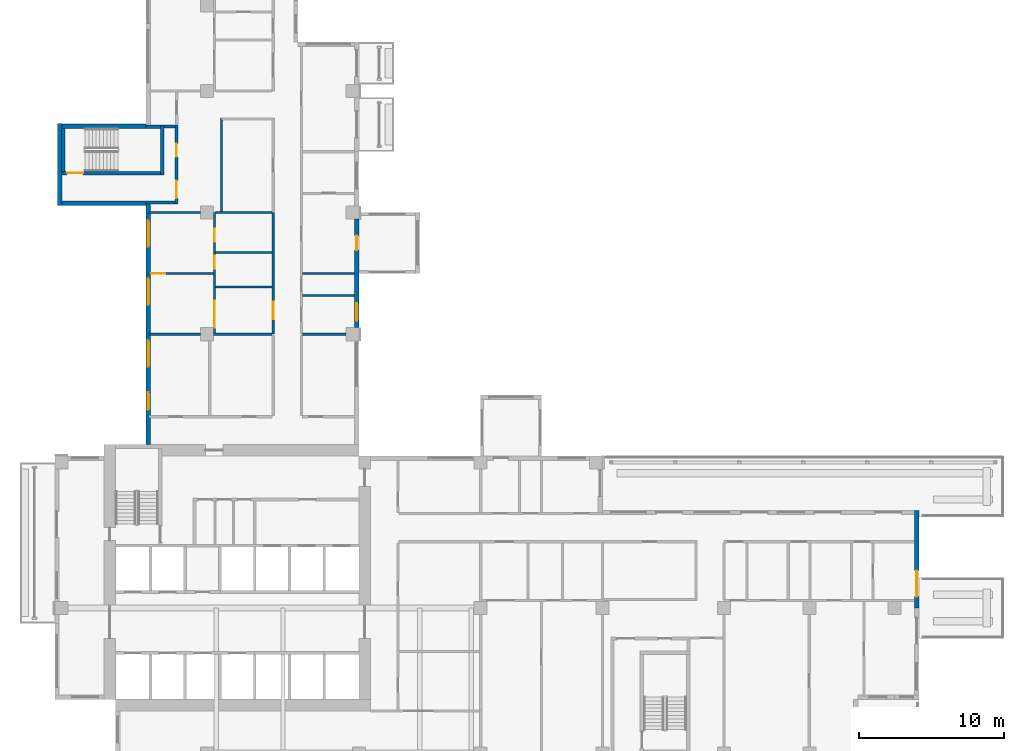
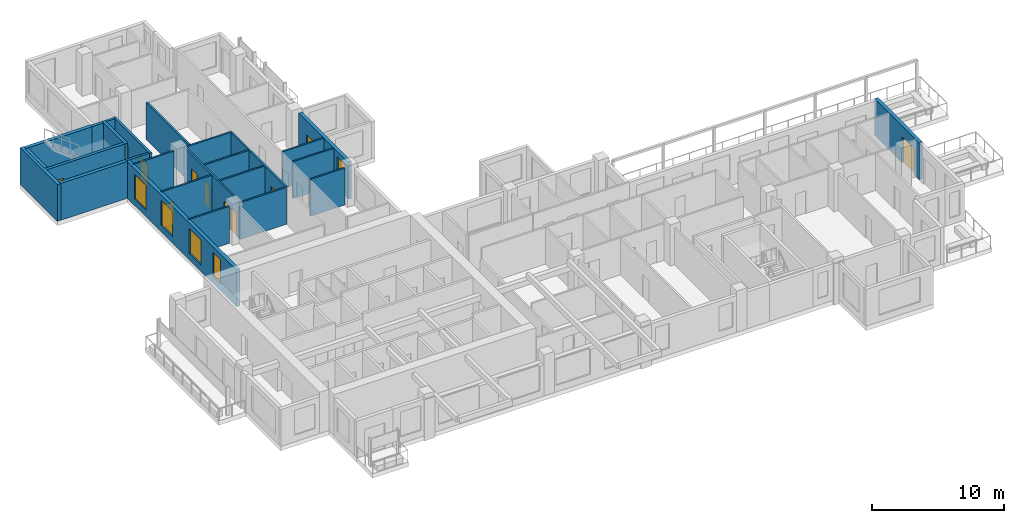
# One storey, part 8 of 15: 26 walls, 11 doors, 5 windows, 16 openings.
"""IFC4 building model written with IfcOpenShell, lengths in metres."""

from ifc_helpers import new_model, si_unit, direction, frame, frame_2d, origin, place, context, subcontext, project, spatial, rectangle, extrude, source, transform, mapped, material, layer, layer_set, type_object, element, fill, save


model = new_model("IFC4")

# Units and contexts
model_context = context("Model", 3, precision=1e-05, world=origin(), true_north=direction((0.0, 1.0)))
body_context = subcontext(model_context, "Body", "Model", "MODEL_VIEW")
ifc_project = project(units=[si_unit("LENGTHUNIT", "METRE"), si_unit("AREAUNIT", "SQUARE_METRE"), si_unit("VOLUMEUNIT", "CUBIC_METRE"), si_unit("PLANEANGLEUNIT", "RADIAN"), si_unit("MASSUNIT", "GRAM", prefix="KILO")], contexts=[model_context])

# Site, building, storey
site_placement = place(None, origin())
site = spatial("IfcSite", under=ifc_project, at=site_placement, CompositionType="ELEMENT")
building_placement = place(site_placement, origin())
building = spatial("IfcBuilding", under=site, at=building_placement, Name="Aurelian Terraces", CompositionType="ELEMENT")
storey_placement = place(building_placement, frame((0.0, 0.0, 177.8)))
storey = spatial("IfcBuildingStorey", under=building, at=storey_placement, Name="L38", CompositionType="ELEMENT", Elevation=177.8)

# Wall
ifc_material_1 = material(Name="Gypsum board on steel studs", Category="steel")
ifc_layer_1 = layer(ifc_material_1, 0.2)
ifc_layer_set_1 = layer_set([ifc_layer_1], Name="Core partition 200")
wall_type_1 = type_object("IfcWallType", Name="Core partition 200", PredefinedType="PARTITIONING", material=ifc_layer_set_1)
wall_1_placement = place(storey_placement, frame((6.3, 38.5, 0.0), z_axis=(0.0, 0.0, 1.0), x_axis=(1.0, 0.0, 0.0)))
element("IfcWall", 1, at=wall_1_placement, inside=storey, type_object=wall_type_1, Name="L38 core wall ST-S3-VW", PredefinedType="PARTITIONING", context=body_context, shape_type="SweptSolid", body=[
    extrude(rectangle(XDim=2.0, YDim=0.2, at=frame_2d((1.0, 0.0))), origin(), (0.0, 0.0, 1.0), 3.4),
])

# Wall, opening, door
ifc_material_2 = material(Name="Terracotta rainscreen cladding", Category="masonry")
ifc_layer_2 = layer(ifc_material_2, 0.3)
ifc_layer_set_2 = layer_set([ifc_layer_2], Name="EW-300")
wall_type_2 = type_object("IfcWallType", Name="EW-300", PredefinedType="STANDARD", material=ifc_layer_set_2)
wall_2_placement = place(storey_placement, frame((59.49, 10.5, 0.0), z_axis=(0.0, 0.0, 1.0), x_axis=(0.0, 1.0, 0.0)))
wall_2 = element("IfcWall", 2, at=wall_2_placement, inside=storey, type_object=wall_type_2, Name="External wall L38 F04.13", PredefinedType="STANDARD", context=body_context, shape_type="SweptSolid", body=[
    extrude(rectangle(XDim=6.75, YDim=0.3, at=frame_2d((3.375, 0.0))), origin(), (0.0, 0.0, 1.0), 3.4),
])
shared_shape_1 = source(origin(), body_context, "Body", "SweptSolid", [
    extrude(rectangle(XDim=1.8, YDim=2.4, at=frame_2d((0.9, 1.2))), frame((0.0, 0.16, 0.0), z_axis=(0.0, -1.0, 0.0), x_axis=(1.0, 0.0, 0.0)), (0.0, 0.0, 1.0), 0.32),
])
opening_1_placement = place(wall_2_placement, frame((0.7875, 0.0, 0.0)))
opening_1 = element("IfcOpeningElement", 3, at=opening_1_placement, cuts=wall_2, Name="Opening 83804", PredefinedType="OPENING", context=body_context, shape_type="MappedRepresentation", body=[
    mapped(shared_shape_1, transform((0.0, 0.0, 0.0), scale=1.0)),
])
ifc_material_3 = material(Name="Clear glazing", Category="glass")
door_type_1 = type_object("IfcDoorType", Name="BD-1800x2400", OperationType="SLIDING_TO_LEFT", PredefinedType="DOOR", material=ifc_material_3)
shared_shape_2 = source(origin(), body_context, "Body", "SweptSolid", [
    extrude(rectangle(XDim=1.8, YDim=2.4, at=frame_2d((0.9, 1.2))), frame((0.0, 0.025, 0.0), z_axis=(0.0, -1.0, 0.0), x_axis=(1.0, 0.0, 0.0)), (0.0, 0.0, 1.0), 0.05),
])
door_1_placement = place(opening_1_placement, origin())
door_1 = element("IfcDoor", 4, at=door_1_placement, inside=storey, type_object=door_type_1, Name="Terrace door L38 L38-F04-13.1", OperationType="SLIDING_TO_LEFT", OverallHeight=2.4, OverallWidth=1.8, PredefinedType="DOOR", context=body_context, shape_type="MappedRepresentation", body=[
    mapped(shared_shape_2, transform((0.0, 0.0, 0.0), scale=1.0)),
])
fill(opening_1, door_1)

# Wall, openings, windows
wall_3_placement = place(storey_placement, frame((6.45, 38.4, 0.0), z_axis=(0.0, 0.0, 1.0), x_axis=(0.0, -1.0, 0.0)))
wall_3 = element("IfcWall", 5, at=wall_3_placement, inside=storey, type_object=wall_type_2, Name="External wall L38 F16.31", PredefinedType="STANDARD", context=body_context, shape_type="SweptSolid", body=[
    extrude(rectangle(XDim=16.6, YDim=0.3, at=frame_2d((8.3, 0.0))), origin(), (0.0, 0.0, 1.0), 3.4),
])
shared_shape_3 = source(origin(), body_context, "Body", "SweptSolid", [
    extrude(rectangle(XDim=1.8, YDim=2.3, at=frame_2d((0.9, 1.15))), frame((0.0, 0.16, 0.0), z_axis=(0.0, -1.0, 0.0), x_axis=(1.0, 0.0, 0.0)), (0.0, 0.0, 1.0), 0.32),
])
opening_2_placement = place(wall_3_placement, frame((1.15, 0.0, 0.6)))
opening_2 = element("IfcOpeningElement", 6, at=opening_2_placement, cuts=wall_3, Name="Opening W1823", PredefinedType="OPENING", context=body_context, shape_type="MappedRepresentation", body=[
    mapped(shared_shape_3, transform((0.0, 0.0, 0.0), scale=1.0)),
])
opening_3_placement = place(wall_3_placement, frame((5.1625, 0.0, 0.6)))
opening_3 = element("IfcOpeningElement", 7, at=opening_3_placement, cuts=wall_3, Name="Opening W1823", PredefinedType="OPENING", context=body_context, shape_type="MappedRepresentation", body=[
    mapped(shared_shape_3, transform((0.0, 0.0, 0.0), scale=1.0)),
])
opening_4_placement = place(wall_3_placement, frame((9.4375, 0.0, 0.6)))
opening_4 = element("IfcOpeningElement", 8, at=opening_4_placement, cuts=wall_3, Name="Opening W1823", PredefinedType="OPENING", context=body_context, shape_type="MappedRepresentation", body=[
    mapped(shared_shape_3, transform((0.0, 0.0, 0.0), scale=1.0)),
])
shared_shape_4 = source(origin(), body_context, "Body", "SweptSolid", [
    extrude(rectangle(XDim=1.2, YDim=2.3, at=frame_2d((0.6, 1.15))), frame((0.0, 0.16, 0.0), z_axis=(0.0, -1.0, 0.0), x_axis=(1.0, 0.0, 0.0)), (0.0, 0.0, 1.0), 0.32),
])
opening_5_placement = place(wall_3_placement, frame((13.0125, 0.0, 0.6)))
opening_5 = element("IfcOpeningElement", 9, at=opening_5_placement, cuts=wall_3, Name="Opening W1223", PredefinedType="OPENING", context=body_context, shape_type="MappedRepresentation", body=[
    mapped(shared_shape_4, transform((0.0, 0.0, 0.0), scale=1.0)),
])
window_type_1 = type_object("IfcWindowType", Name="W-1200x2300", PartitioningType="SINGLE_PANEL", PredefinedType="WINDOW", material=ifc_material_3)
shared_shape_5 = source(origin(), body_context, "Body", "SweptSolid", [
    extrude(rectangle(XDim=1.2, YDim=2.3, at=frame_2d((0.6, 1.15))), frame((0.0, 0.03, 0.0), z_axis=(0.0, -1.0, 0.0), x_axis=(1.0, 0.0, 0.0)), (0.0, 0.0, 1.0), 0.06),
])
window_1_placement = place(opening_5_placement, origin())
window_1 = element("IfcWindow", 10, at=window_1_placement, inside=storey, type_object=window_type_1, Name="Window L38 L38-F16-31-3", OverallHeight=2.3, OverallWidth=1.2, PartitioningType="SINGLE_PANEL", PredefinedType="WINDOW", context=body_context, shape_type="MappedRepresentation", body=[
    mapped(shared_shape_5, transform((0.0, 0.0, 0.0), scale=1.0)),
])
fill(opening_5, window_1)
window_type_2 = type_object("IfcWindowType", Name="W-1800x2300", PartitioningType="SINGLE_PANEL", PredefinedType="WINDOW", material=ifc_material_3)
shared_shape_6 = source(origin(), body_context, "Body", "SweptSolid", [
    extrude(rectangle(XDim=1.8, YDim=2.3, at=frame_2d((0.9, 1.15))), frame((0.0, 0.03, 0.0), z_axis=(0.0, -1.0, 0.0), x_axis=(1.0, 0.0, 0.0)), (0.0, 0.0, 1.0), 0.06),
])
window_2_placement = place(opening_2_placement, origin())
window_2 = element("IfcWindow", 11, at=window_2_placement, inside=storey, type_object=window_type_2, Name="Window L38 L38-F16-31-0", OverallHeight=2.3, OverallWidth=1.8, PartitioningType="SINGLE_PANEL", PredefinedType="WINDOW", context=body_context, shape_type="MappedRepresentation", body=[
    mapped(shared_shape_6, transform((0.0, 0.0, 0.0), scale=1.0)),
])
fill(opening_2, window_2)
window_3_placement = place(opening_3_placement, origin())
window_3 = element("IfcWindow", 12, at=window_3_placement, inside=storey, type_object=window_type_2, Name="Window L38 L38-F16-31-1", OverallHeight=2.3, OverallWidth=1.8, PartitioningType="SINGLE_PANEL", PredefinedType="WINDOW", context=body_context, shape_type="MappedRepresentation", body=[
    mapped(shared_shape_6, transform((0.0, 0.0, 0.0), scale=1.0)),
])
fill(opening_3, window_3)
window_4_placement = place(opening_4_placement, origin())
window_4 = element("IfcWindow", 13, at=window_4_placement, inside=storey, type_object=window_type_2, Name="Window L38 L38-F16-31-2", OverallHeight=2.3, OverallWidth=1.8, PartitioningType="SINGLE_PANEL", PredefinedType="WINDOW", context=body_context, shape_type="MappedRepresentation", body=[
    mapped(shared_shape_6, transform((0.0, 0.0, 0.0), scale=1.0)),
])
fill(opening_4, window_4)

# Wall
ifc_layer_3 = layer(ifc_material_1, 0.15)
ifc_layer_set_3 = layer_set([ifc_layer_3], Name="Partition 150")
wall_type_3 = type_object("IfcWallType", Name="Partition 150", PredefinedType="PARTITIONING", material=ifc_layer_set_3)
wall_4_placement = place(storey_placement, frame((10.051, 29.4, 0.0), z_axis=(0.0, 0.0, 1.0), x_axis=(-1.0, 0.0, 0.0)))
element("IfcWall", 14, at=wall_4_placement, inside=storey, type_object=wall_type_3, Name="Partition", PredefinedType="PARTITIONING", context=body_context, shape_type="SweptSolid", body=[
    extrude(rectangle(XDim=3.546, YDim=0.15, at=frame_2d((1.773, 0.0))), origin(), (0.0, 0.0, 1.0), 3.4),
])

# Wall, opening, door
wall_5_placement = place(storey_placement, frame((10.95, 33.6, 0.0), z_axis=(0.0, 0.0, 1.0), x_axis=(-1.0, 0.0, 0.0)))
wall_5 = element("IfcWall", 15, at=wall_5_placement, inside=storey, type_object=wall_type_3, Name="Partition", PredefinedType="PARTITIONING", context=body_context, shape_type="SweptSolid", body=[
    extrude(rectangle(XDim=4.445, YDim=0.15, at=frame_2d((2.2225, 0.0))), origin(), (0.0, 0.0, 1.0), 3.4),
])
shared_shape_7 = source(origin(), body_context, "Body", "SweptSolid", [
    extrude(rectangle(XDim=1.0, YDim=2.1, at=frame_2d((0.5, 1.05))), frame((0.0, 0.085, 0.0), z_axis=(0.0, -1.0, 0.0), x_axis=(1.0, 0.0, 0.0)), (0.0, 0.0, 1.0), 0.17),
])
opening_6_placement = place(wall_5_placement, frame((3.325, 0.0, 0.0)))
opening_6 = element("IfcOpeningElement", 16, at=opening_6_placement, cuts=wall_5, Name="Opening 738030", PredefinedType="OPENING", context=body_context, shape_type="MappedRepresentation", body=[
    mapped(shared_shape_7, transform((0.0, 0.0, 0.0), scale=1.0)),
])
ifc_material_4 = material(Name="Timber door leaf", Category="wood")
door_type_2 = type_object("IfcDoorType", Name="Room door 1000x2100 right", OperationType="SINGLE_SWING_RIGHT", PredefinedType="DOOR", material=ifc_material_4)
shared_shape_8 = source(origin(), body_context, "Body", "SweptSolid", [
    extrude(rectangle(XDim=1.0, YDim=2.1, at=frame_2d((0.5, 1.05))), frame((0.0, 0.025, 0.0), z_axis=(0.0, -1.0, 0.0), x_axis=(1.0, 0.0, 0.0)), (0.0, 0.0, 1.0), 0.05),
])
door_2_placement = place(opening_6_placement, origin())
door_2 = element("IfcDoor", 17, at=door_2_placement, inside=storey, type_object=door_type_2, Name="Door 738030", OperationType="SINGLE_SWING_RIGHT", OverallHeight=2.1, OverallWidth=1.0, PredefinedType="DOOR", context=body_context, shape_type="MappedRepresentation", body=[
    mapped(shared_shape_8, transform((0.0, 0.0, 0.0), scale=1.0)),
])
fill(opening_6, door_2)

# Walls
ifc_material_5 = material(Name="Concrete fc' 40 MPa", Category="concrete")
ifc_layer_4 = layer(ifc_material_5, 0.3)
ifc_layer_set_4 = layer_set([ifc_layer_4], Name="STAIR BAY WALL 300")
wall_type_4 = type_object("IfcWallType", Name="STAIR BAY WALL 300", PredefinedType="SOLIDWALL", material=ifc_layer_set_4)
wall_6_placement = place(storey_placement, frame((6.3, 43.75, 0.0), z_axis=(0.0, 0.0, 1.0), x_axis=(-1.0, 0.0, 0.0)))
element("IfcWall", 18, at=wall_6_placement, inside=storey, type_object=wall_type_4, Name="Stair bay wall L38 F13.28", PredefinedType="SOLIDWALL", context=body_context, shape_type="SweptSolid", body=[
    extrude(rectangle(XDim=6.1, YDim=0.3, at=frame_2d((3.05, 0.0))), origin(), (0.0, 0.0, 1.0), 3.4),
])
wall_7_placement = place(storey_placement, frame((0.35, 43.95, 0.0), z_axis=(0.0, 0.0, 1.0), x_axis=(0.0, -1.0, 0.0)))
element("IfcWall", 19, at=wall_7_placement, inside=storey, type_object=wall_type_4, Name="Stair bay wall L38 F14.29", PredefinedType="SOLIDWALL", context=body_context, shape_type="SweptSolid", body=[
    extrude(rectangle(XDim=5.65, YDim=0.3, at=frame_2d((2.825, 0.0))), origin(), (0.0, 0.0, 1.0), 3.4),
])
ifc_layer_5 = layer(ifc_material_5, 0.25)
ifc_layer_set_5 = layer_set([ifc_layer_5], Name="Stair enclosure wall 250")
wall_type_5 = type_object("IfcWallType", Name="Stair enclosure wall 250", PredefinedType="SOLIDWALL", material=ifc_layer_set_5)
wall_8_placement = place(storey_placement, frame((6.3, 43.725, 0.0), z_axis=(0.0, 0.0, 1.0), x_axis=(1.0, 0.0, 0.0)))
element("IfcWall", 20, at=wall_8_placement, inside=storey, type_object=wall_type_5, Name="L38 core wall ST-S3-E", PredefinedType="SOLIDWALL", context=body_context, shape_type="SweptSolid", body=[
    extrude(rectangle(XDim=1.0, YDim=0.25, at=frame_2d((0.5, 0.0))), origin(), (0.0, 0.0, 1.0), 3.4),
])

# Wall, openings, window, door
shared_shape_9 = source(origin(), body_context, "Body", "SweptSolid", [
    extrude(rectangle(XDim=7.5, YDim=0.3, at=frame_2d((3.75, 0.0))), origin(), (0.0, 0.0, 1.0), 3.4),
])
wall_9_placement = place(storey_placement, frame((20.85, 29.85, 0.0), z_axis=(0.0, 0.0, 1.0), x_axis=(0.0, 1.0, 0.0)))
wall_9 = element("IfcWall", 21, at=wall_9_placement, inside=storey, type_object=wall_type_2, Name="External wall L38 F08.19", PredefinedType="STANDARD", context=body_context, shape_type="MappedRepresentation", body=[
    mapped(shared_shape_9, transform((0.0, 0.0, 0.0), scale=1.0)),
])
opening_7_placement = place(wall_9_placement, frame((0.496, 0.0, 0.6)))
opening_7 = element("IfcOpeningElement", 22, at=opening_7_placement, cuts=wall_9, Name="Opening W1223", PredefinedType="OPENING", context=body_context, shape_type="MappedRepresentation", body=[
    mapped(shared_shape_4, transform((0.0, 0.0, 0.0), scale=1.0)),
])
shared_shape_10 = source(origin(), body_context, "Body", "SweptSolid", [
    extrude(rectangle(XDim=1.0, YDim=2.1, at=frame_2d((0.5, 1.05))), frame((0.0, 0.16, 0.0), z_axis=(0.0, -1.0, 0.0), x_axis=(1.0, 0.0, 0.0)), (0.0, 0.0, 1.0), 0.32),
])
opening_8_placement = place(wall_9_placement, frame((5.35, 0.0, 0.0)))
opening_8 = element("IfcOpeningElement", 23, at=opening_8_placement, cuts=wall_9, Name="Opening 838003", PredefinedType="OPENING", context=body_context, shape_type="MappedRepresentation", body=[
    mapped(shared_shape_10, transform((0.0, 0.0, 0.0), scale=1.0)),
])
window_5_placement = place(opening_7_placement, origin())
window_5 = element("IfcWindow", 24, at=window_5_placement, inside=storey, type_object=window_type_1, Name="Window L38 L38-F08-19-0", OverallHeight=2.3, OverallWidth=1.2, PartitioningType="SINGLE_PANEL", PredefinedType="WINDOW", context=body_context, shape_type="MappedRepresentation", body=[
    mapped(shared_shape_5, transform((0.0, 0.0, 0.0), scale=1.0)),
])
fill(opening_7, window_5)
door_type_3 = type_object("IfcDoorType", Name="Room door 1000x2100 left", OperationType="SINGLE_SWING_LEFT", PredefinedType="DOOR", material=ifc_material_4)
door_3_placement = place(opening_8_placement, origin())
door_3 = element("IfcDoor", 25, at=door_3_placement, inside=storey, type_object=door_type_3, Name="Door 838003", OperationType="SINGLE_SWING_LEFT", OverallHeight=2.1, OverallWidth=1.0, PredefinedType="DOOR", context=body_context, shape_type="MappedRepresentation", body=[
    mapped(shared_shape_8, transform((0.0, 0.0, 0.0), scale=1.0)),
])
fill(opening_8, door_3)

# Wall
shared_shape_11 = source(origin(), body_context, "Body", "SweptSolid", [
    extrude(rectangle(XDim=6.1, YDim=0.3, at=frame_2d((3.05, 0.0))), origin(), (0.0, 0.0, 1.0), 3.4),
])
wall_10_placement = place(storey_placement, frame((0.2, 38.45, 0.0), z_axis=(0.0, 0.0, 1.0), x_axis=(1.0, 0.0, 0.0)))
element("IfcWall", 26, at=wall_10_placement, inside=storey, type_object=wall_type_4, Name="Stair bay wall L38 F15.30", PredefinedType="SOLIDWALL", context=body_context, shape_type="MappedRepresentation", body=[
    mapped(shared_shape_11, transform((0.0, 0.0, 0.0), scale=1.0)),
])

# Wall, opening, door
shared_shape_12 = source(origin(), body_context, "Body", "SweptSolid", [
    extrude(rectangle(XDim=7.0, YDim=0.25, at=frame_2d((3.5, 0.0))), origin(), (0.0, 0.0, 1.0), 3.4),
])
wall_11_placement = place(storey_placement, frame((0.3, 40.525, 0.0), z_axis=(0.0, 0.0, 1.0), x_axis=(1.0, 0.0, 0.0)))
wall_11 = element("IfcWall", 27, at=wall_11_placement, inside=storey, type_object=wall_type_5, Name="L38 core wall ST-S3-W", PredefinedType="SOLIDWALL", context=body_context, shape_type="MappedRepresentation", body=[
    mapped(shared_shape_12, transform((0.0, 0.0, 0.0), scale=1.0)),
])
shared_shape_13 = source(origin(), body_context, "Body", "SweptSolid", [
    extrude(rectangle(XDim=1.1, YDim=2.1, at=frame_2d((0.55, 1.05))), frame((0.0, 0.135, 0.0), z_axis=(0.0, -1.0, 0.0), x_axis=(1.0, 0.0, 0.0)), (0.0, 0.0, 1.0), 0.27),
])
opening_9_placement = place(wall_11_placement, frame((0.55, 0.0, 0.0)))
opening_9 = element("IfcOpeningElement", 28, at=opening_9_placement, cuts=wall_11, Name="Opening 64118", PredefinedType="OPENING", context=body_context, shape_type="MappedRepresentation", body=[
    mapped(shared_shape_13, transform((0.0, 0.0, 0.0), scale=1.0)),
])
ifc_material_6 = material(Name="Steel door leaf", Category="steel")
door_type_4 = type_object("IfcDoorType", Name="Core fire door 1100x2100 right", OperationType="SINGLE_SWING_RIGHT", PredefinedType="DOOR", material=ifc_material_6)
shared_shape_14 = source(origin(), body_context, "Body", "SweptSolid", [
    extrude(rectangle(XDim=1.1, YDim=2.1, at=frame_2d((0.55, 1.05))), frame((0.0, 0.025, 0.0), z_axis=(0.0, -1.0, 0.0), x_axis=(1.0, 0.0, 0.0)), (0.0, 0.0, 1.0), 0.05),
])
door_4_placement = place(opening_9_placement, origin())
door_4 = element("IfcDoor", 29, at=door_4_placement, inside=storey, type_object=door_type_4, Name="Stair door 64118", OperationType="SINGLE_SWING_RIGHT", OverallHeight=2.1, OverallWidth=1.1, PredefinedType="DOOR", context=body_context, shape_type="MappedRepresentation", body=[
    mapped(shared_shape_14, transform((0.0, 0.0, 0.0), scale=1.0)),
])
fill(opening_9, door_4)

# Walls
shared_shape_15 = source(origin(), body_context, "Body", "SweptSolid", [
    extrude(rectangle(XDim=3.45, YDim=0.25, at=frame_2d((1.725, 0.0))), origin(), (0.0, 0.0, 1.0), 3.4),
])
wall_12_placement = place(storey_placement, frame((7.425, 40.4, 0.0), z_axis=(0.0, 0.0, 1.0), x_axis=(0.0, 1.0, 0.0)))
element("IfcWall", 30, at=wall_12_placement, inside=storey, type_object=wall_type_5, Name="L38 core wall ST-S3-N", PredefinedType="SOLIDWALL", context=body_context, shape_type="MappedRepresentation", body=[
    mapped(shared_shape_15, transform((0.0, 0.0, 0.0), scale=1.0)),
])
shared_shape_16 = source(origin(), body_context, "Body", "SweptSolid", [
    extrude(rectangle(XDim=2.95, YDim=0.25, at=frame_2d((1.475, 0.0))), origin(), (0.0, 0.0, 1.0), 3.4),
])
wall_13_placement = place(storey_placement, frame((0.575, 40.65, 0.0), z_axis=(0.0, 0.0, 1.0), x_axis=(0.0, 1.0, 0.0)))
element("IfcWall", 31, at=wall_13_placement, inside=storey, type_object=wall_type_5, Name="L38 core wall ST-S3-SS", PredefinedType="SOLIDWALL", context=body_context, shape_type="MappedRepresentation", body=[
    mapped(shared_shape_16, transform((0.0, 0.0, 0.0), scale=1.0)),
])

# Wall, openings, doors
shared_shape_17 = source(origin(), body_context, "Body", "SweptSolid", [
    extrude(rectangle(XDim=5.45, YDim=0.2, at=frame_2d((2.725, 0.0))), origin(), (0.0, 0.0, 1.0), 3.4),
])
wall_14_placement = place(storey_placement, frame((8.4, 38.4, 0.0), z_axis=(0.0, 0.0, 1.0), x_axis=(0.0, 1.0, 0.0)))
wall_14 = element("IfcWall", 32, at=wall_14_placement, inside=storey, type_object=wall_type_1, Name="L38 core wall ST-S3-BN", PredefinedType="PARTITIONING", context=body_context, shape_type="MappedRepresentation", body=[
    mapped(shared_shape_17, transform((0.0, 0.0, 0.0), scale=1.0)),
])
shared_shape_18 = source(origin(), body_context, "Body", "SweptSolid", [
    extrude(rectangle(XDim=1.2, YDim=2.1, at=frame_2d((0.6, 1.05))), frame((0.0, 0.11, 0.0), z_axis=(0.0, -1.0, 0.0), x_axis=(1.0, 0.0, 0.0)), (0.0, 0.0, 1.0), 0.22),
])
opening_10_placement = place(wall_14_placement, frame((0.4, 0.0, 0.0)))
opening_10 = element("IfcOpeningElement", 33, at=opening_10_placement, cuts=wall_14, Name="Opening 64119", PredefinedType="OPENING", context=body_context, shape_type="MappedRepresentation", body=[
    mapped(shared_shape_18, transform((0.0, 0.0, 0.0), scale=1.0)),
])
shared_shape_19 = source(origin(), body_context, "Body", "SweptSolid", [
    extrude(rectangle(XDim=0.9, YDim=2.1, at=frame_2d((0.45, 1.05))), frame((0.0, 0.11, 0.0), z_axis=(0.0, -1.0, 0.0), x_axis=(1.0, 0.0, 0.0)), (0.0, 0.0, 1.0), 0.22),
])
opening_11_placement = place(wall_14_placement, frame((3.25, 0.0, 0.0)))
opening_11 = element("IfcOpeningElement", 34, at=opening_11_placement, cuts=wall_14, Name="Opening 64120", PredefinedType="OPENING", context=body_context, shape_type="MappedRepresentation", body=[
    mapped(shared_shape_19, transform((0.0, 0.0, 0.0), scale=1.0)),
])
door_type_5 = type_object("IfcDoorType", Name="Core riser door 900x2100 right", OperationType="SINGLE_SWING_RIGHT", PredefinedType="DOOR", material=ifc_material_6)
shared_shape_20 = source(origin(), body_context, "Body", "SweptSolid", [
    extrude(rectangle(XDim=0.9, YDim=2.1, at=frame_2d((0.45, 1.05))), frame((0.0, 0.025, 0.0), z_axis=(0.0, -1.0, 0.0), x_axis=(1.0, 0.0, 0.0)), (0.0, 0.0, 1.0), 0.05),
])
door_5_placement = place(opening_11_placement, origin())
door_5 = element("IfcDoor", 35, at=door_5_placement, inside=storey, type_object=door_type_5, Name="Riser door 64120", OperationType="SINGLE_SWING_RIGHT", OverallHeight=2.1, OverallWidth=0.9, PredefinedType="DOOR", context=body_context, shape_type="MappedRepresentation", body=[
    mapped(shared_shape_20, transform((0.0, 0.0, 0.0), scale=1.0)),
])
fill(opening_11, door_5)
door_type_6 = type_object("IfcDoorType", Name="Core fire door 1200x2100", OperationType="SINGLE_SWING_LEFT", PredefinedType="DOOR", material=ifc_material_6)
shared_shape_21 = source(origin(), body_context, "Body", "SweptSolid", [
    extrude(rectangle(XDim=1.2, YDim=2.1, at=frame_2d((0.6, 1.05))), frame((0.0, 0.025, 0.0), z_axis=(0.0, -1.0, 0.0), x_axis=(1.0, 0.0, 0.0)), (0.0, 0.0, 1.0), 0.05),
])
door_6_placement = place(opening_10_placement, origin())
door_6 = element("IfcDoor", 36, at=door_6_placement, inside=storey, type_object=door_type_6, Name="Vestibule door 64119", OperationType="SINGLE_SWING_LEFT", OverallHeight=2.1, OverallWidth=1.2, PredefinedType="DOOR", context=body_context, shape_type="MappedRepresentation", body=[
    mapped(shared_shape_21, transform((0.0, 0.0, 0.0), scale=1.0)),
])
fill(opening_10, door_6)

# Walls
shared_shape_22 = source(origin(), body_context, "Body", "SweptSolid", [
    extrude(rectangle(XDim=0.75, YDim=0.2, at=frame_2d((0.375, 0.0))), origin(), (0.0, 0.0, 1.0), 3.4),
])
wall_15_placement = place(storey_placement, frame((7.55, 43.75, 0.0), z_axis=(0.0, 0.0, 1.0), x_axis=(1.0, 0.0, 0.0)))
element("IfcWall", 37, at=wall_15_placement, inside=storey, type_object=wall_type_1, Name="L38 core wall ST-S3-RE", PredefinedType="PARTITIONING", context=body_context, shape_type="MappedRepresentation", body=[
    mapped(shared_shape_22, transform((0.0, 0.0, 0.0), scale=1.0)),
])
shared_shape_23 = source(origin(), body_context, "Body", "SweptSolid", [
    extrude(rectangle(XDim=6.45, YDim=0.15, at=frame_2d((3.225, 0.0))), origin(), (0.0, 0.0, 1.0), 3.4),
])
wall_16_placement = place(storey_placement, frame((11.5, 44.325, 0.0), z_axis=(0.0, 0.0, 1.0), x_axis=(0.0, -1.0, 0.0)))
element("IfcWall", 38, at=wall_16_placement, inside=storey, type_object=wall_type_3, Name="Partition", PredefinedType="PARTITIONING", context=body_context, shape_type="MappedRepresentation", body=[
    mapped(shared_shape_23, transform((0.0, 0.0, 0.0), scale=1.0)),
])
shared_shape_24 = source(origin(), body_context, "Body", "SweptSolid", [
    extrude(rectangle(XDim=3.9, YDim=0.15, at=frame_2d((1.95, 0.0))), origin(), (0.0, 0.0, 1.0), 3.4),
])
for number, where, z_axis, x_axis, name in (
    (39, (15.0, 32.6603, 0.0), (0.0, 0.0, 1.0), (-1.0, 0.0, 0.0), "Partition"),
    (40, (15.0, 35.0493, 0.0), (0.0, 0.0, 1.0), (-1.0, 0.0, 0.0), "Partition"),
):
    element("IfcWall", number, at=place(storey_placement, frame(where, z_axis=z_axis, x_axis=x_axis)), inside=storey, type_object=wall_type_3, Name=name, PredefinedType="PARTITIONING", context=body_context, shape_type="MappedRepresentation", body=[
        mapped(shared_shape_24, transform((0.0, 0.0, 0.0), scale=1.0)),
    ])
ifc_layer_6 = layer(ifc_material_1, 0.15)
ifc_layer_set_6 = layer_set([ifc_layer_6], Name="Fire partition 150")
wall_type_6 = type_object("IfcWallType", Name="Fire partition 150", PredefinedType="PARTITIONING", material=ifc_layer_set_6)
wall_17_placement = place(storey_placement, frame((15.0, 37.8, 0.0), z_axis=(0.0, 0.0, 1.0), x_axis=(-1.0, 0.0, 0.0)))
element("IfcWall", 41, at=wall_17_placement, inside=storey, type_object=wall_type_6, Name="Party wall", PredefinedType="PARTITIONING", context=body_context, shape_type="MappedRepresentation", body=[
    mapped(shared_shape_24, transform((0.0, 0.0, 0.0), scale=1.0)),
])
shared_shape_25 = source(origin(), body_context, "Body", "SweptSolid", [
    extrude(rectangle(XDim=3.6, YDim=0.15, at=frame_2d((1.8, 0.0))), origin(), (0.0, 0.0, 1.0), 3.4),
])
wall_18_placement = place(storey_placement, frame((17.1, 32.067, 0.0), z_axis=(0.0, 0.0, 1.0), x_axis=(1.0, 0.0, 0.0)))
element("IfcWall", 42, at=wall_18_placement, inside=storey, type_object=wall_type_3, Name="Partition", PredefinedType="PARTITIONING", context=body_context, shape_type="MappedRepresentation", body=[
    mapped(shared_shape_25, transform((0.0, 0.0, 0.0), scale=1.0)),
])
wall_19_placement = place(storey_placement, frame((20.7, 33.6, 0.0), z_axis=(0.0, 0.0, 1.0), x_axis=(-1.0, 0.0, 0.0)))
element("IfcWall", 43, at=wall_19_placement, inside=storey, type_object=wall_type_6, Name="Party wall", PredefinedType="PARTITIONING", context=body_context, shape_type="MappedRepresentation", body=[
    mapped(shared_shape_25, transform((0.0, 0.0, 0.0), scale=1.0)),
])

# Wall, openings, doors
shared_shape_26 = source(origin(), body_context, "Body", "SweptSolid", [
    extrude(rectangle(XDim=8.4, YDim=0.15, at=frame_2d((4.2, 0.0))), origin(), (0.0, 0.0, 1.0), 3.4),
])
wall_20_placement = place(storey_placement, frame((11.025, 29.4, 0.0), z_axis=(0.0, 0.0, 1.0), x_axis=(0.0, 1.0, 0.0)))
wall_20 = element("IfcWall", 44, at=wall_20_placement, inside=storey, type_object=wall_type_3, Name="Partition", PredefinedType="PARTITIONING", context=body_context, shape_type="MappedRepresentation", body=[
    mapped(shared_shape_26, transform((0.0, 0.0, 0.0), scale=1.0)),
])
shared_shape_27 = source(origin(), body_context, "Body", "SweptSolid", [
    extrude(rectangle(XDim=0.9, YDim=2.1, at=frame_2d((0.45, 1.05))), frame((0.0, 0.085, 0.0), z_axis=(0.0, -1.0, 0.0), x_axis=(1.0, 0.0, 0.0)), (0.0, 0.0, 1.0), 0.17),
])
opening_12_placement = place(wall_20_placement, frame((1.418, 0.0, 0.0)))
opening_12 = element("IfcOpeningElement", 45, at=opening_12_placement, cuts=wall_20, Name="Opening 738028", PredefinedType="OPENING", context=body_context, shape_type="MappedRepresentation", body=[
    mapped(shared_shape_27, transform((0.0, 0.0, 0.0), scale=1.0)),
])
opening_13_placement = place(wall_20_placement, frame((0.46, 0.0, 0.0)))
opening_13 = element("IfcOpeningElement", 46, at=opening_13_placement, cuts=wall_20, Name="Opening 738029", PredefinedType="OPENING", context=body_context, shape_type="MappedRepresentation", body=[
    mapped(shared_shape_27, transform((0.0, 0.0, 0.0), scale=1.0)),
])
opening_14_placement = place(wall_20_placement, frame((4.5247, 0.0, 0.0)))
opening_14 = element("IfcOpeningElement", 47, at=opening_14_placement, cuts=wall_20, Name="Opening 738031", PredefinedType="OPENING", context=body_context, shape_type="MappedRepresentation", body=[
    mapped(shared_shape_27, transform((0.0, 0.0, 0.0), scale=1.0)),
])
opening_15_placement = place(wall_20_placement, frame((6.3872, 0.0, 0.0)))
opening_15 = element("IfcOpeningElement", 48, at=opening_15_placement, cuts=wall_20, Name="Opening 738032", PredefinedType="OPENING", context=body_context, shape_type="MappedRepresentation", body=[
    mapped(shared_shape_27, transform((0.0, 0.0, 0.0), scale=1.0)),
])
door_type_7 = type_object("IfcDoorType", Name="Room door 900x2100 right", OperationType="SINGLE_SWING_RIGHT", PredefinedType="DOOR", material=ifc_material_4)
door_7_placement = place(opening_12_placement, origin())
door_7 = element("IfcDoor", 49, at=door_7_placement, inside=storey, type_object=door_type_7, Name="Door 738028", OperationType="SINGLE_SWING_RIGHT", OverallHeight=2.1, OverallWidth=0.9, PredefinedType="DOOR", context=body_context, shape_type="MappedRepresentation", body=[
    mapped(shared_shape_20, transform((0.0, 0.0, 0.0), scale=1.0)),
])
fill(opening_12, door_7)
door_type_8 = type_object("IfcDoorType", Name="Room door 900x2100 left", OperationType="SINGLE_SWING_LEFT", PredefinedType="DOOR", material=ifc_material_4)
door_8_placement = place(opening_13_placement, origin())
door_8 = element("IfcDoor", 50, at=door_8_placement, inside=storey, type_object=door_type_8, Name="Door 738029", OperationType="SINGLE_SWING_LEFT", OverallHeight=2.1, OverallWidth=0.9, PredefinedType="DOOR", context=body_context, shape_type="MappedRepresentation", body=[
    mapped(shared_shape_20, transform((0.0, 0.0, 0.0), scale=1.0)),
])
fill(opening_13, door_8)
door_9_placement = place(opening_14_placement, origin())
door_9 = element("IfcDoor", 51, at=door_9_placement, inside=storey, type_object=door_type_8, Name="Door 738031", OperationType="SINGLE_SWING_LEFT", OverallHeight=2.1, OverallWidth=0.9, PredefinedType="DOOR", context=body_context, shape_type="MappedRepresentation", body=[
    mapped(shared_shape_20, transform((0.0, 0.0, 0.0), scale=1.0)),
])
fill(opening_14, door_9)
door_10_placement = place(opening_15_placement, origin())
door_10 = element("IfcDoor", 52, at=door_10_placement, inside=storey, type_object=door_type_7, Name="Door 738032", OperationType="SINGLE_SWING_RIGHT", OverallHeight=2.1, OverallWidth=0.9, PredefinedType="DOOR", context=body_context, shape_type="MappedRepresentation", body=[
    mapped(shared_shape_20, transform((0.0, 0.0, 0.0), scale=1.0)),
])
fill(opening_15, door_10)

# Wall, opening, door
wall_21_placement = place(storey_placement, frame((15.075, 29.4, 0.0), z_axis=(0.0, 0.0, 1.0), x_axis=(0.0, 1.0, 0.0)))
wall_21 = element("IfcWall", 53, at=wall_21_placement, inside=storey, type_object=wall_type_6, Name="Corridor wall", PredefinedType="PARTITIONING", context=body_context, shape_type="MappedRepresentation", body=[
    mapped(shared_shape_26, transform((0.0, 0.0, 0.0), scale=1.0)),
])
shared_shape_28 = source(origin(), body_context, "Body", "SweptSolid", [
    extrude(rectangle(XDim=1.2, YDim=2.1, at=frame_2d((0.6, 1.05))), frame((0.0, 0.085, 0.0), z_axis=(0.0, -1.0, 0.0), x_axis=(1.0, 0.0, 0.0)), (0.0, 0.0, 1.0), 0.17),
])
opening_16_placement = place(wall_21_placement, frame((1.0302, 0.0, 0.0)))
opening_16 = element("IfcOpeningElement", 54, at=opening_16_placement, cuts=wall_21, Name="Opening 738027", PredefinedType="OPENING", context=body_context, shape_type="MappedRepresentation", body=[
    mapped(shared_shape_28, transform((0.0, 0.0, 0.0), scale=1.0)),
])
door_type_9 = type_object("IfcDoorType", Name="Entrance fire door 1200x2100 left", OperationType="SINGLE_SWING_LEFT", PredefinedType="DOOR", material=ifc_material_6)
door_11_placement = place(opening_16_placement, origin())
door_11 = element("IfcDoor", 55, at=door_11_placement, inside=storey, type_object=door_type_9, Name="Door 738027", OperationType="SINGLE_SWING_LEFT", OverallHeight=2.1, OverallWidth=1.2, PredefinedType="DOOR", context=body_context, shape_type="MappedRepresentation", body=[
    mapped(shared_shape_21, transform((0.0, 0.0, 0.0), scale=1.0)),
])
fill(opening_16, door_11)

# Walls
shared_shape_29 = source(origin(), body_context, "Body", "SweptSolid", [
    extrude(rectangle(XDim=4.051, YDim=0.15, at=frame_2d((2.0255, 0.0))), origin(), (0.0, 0.0, 1.0), 3.4),
])
wall_22_placement = place(storey_placement, frame((15.0, 29.4, 0.0), z_axis=(0.0, 0.0, 1.0), x_axis=(-1.0, 0.0, 0.0)))
element("IfcWall", 56, at=wall_22_placement, inside=storey, type_object=wall_type_3, Name="Partition", PredefinedType="PARTITIONING", context=body_context, shape_type="MappedRepresentation", body=[
    mapped(shared_shape_29, transform((0.0, 0.0, 0.0), scale=1.0)),
])
shared_shape_30 = source(origin(), body_context, "Body", "SweptSolid", [
    extrude(rectangle(XDim=3.001, YDim=0.15, at=frame_2d((1.5005, 0.0))), origin(), (0.0, 0.0, 1.0), 3.4),
])
wall_23_placement = place(storey_placement, frame((20.101, 29.4, 0.0), z_axis=(0.0, 0.0, 1.0), x_axis=(-1.0, 0.0, 0.0)))
element("IfcWall", 57, at=wall_23_placement, inside=storey, type_object=wall_type_3, Name="Partition", PredefinedType="PARTITIONING", context=body_context, shape_type="MappedRepresentation", body=[
    mapped(shared_shape_30, transform((0.0, 0.0, 0.0), scale=1.0)),
])
shared_shape_31 = source(origin(), body_context, "Body", "SweptSolid", [
    extrude(rectangle(XDim=3.546, YDim=0.15, at=frame_2d((1.773, 0.0))), origin(), (0.0, 0.0, 1.0), 3.4),
])
wall_24_placement = place(storey_placement, frame((10.051, 37.8, 0.0), z_axis=(0.0, 0.0, 1.0), x_axis=(-1.0, 0.0, 0.0)))
element("IfcWall", 58, at=wall_24_placement, inside=storey, type_object=wall_type_6, Name="Party wall", PredefinedType="PARTITIONING", context=body_context, shape_type="MappedRepresentation", body=[
    mapped(shared_shape_31, transform((0.0, 0.0, 0.0), scale=1.0)),
])

save(model, "model.ifc")
